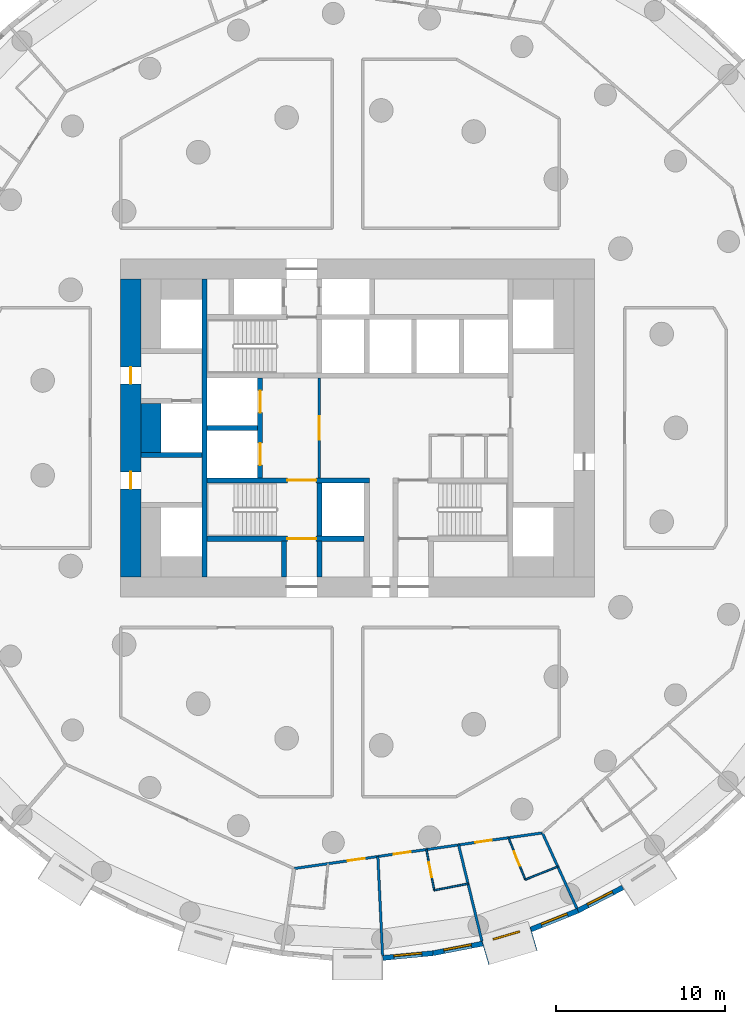
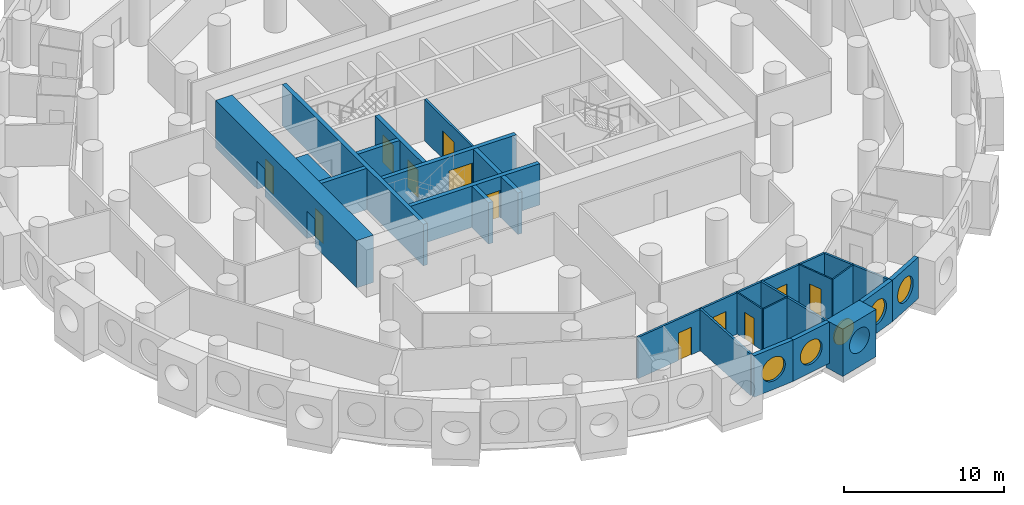
# One storey, part 4 of 11: 25 walls, 12 doors, 5 windows, 17 openings.
"""IFC4 building model written with IfcOpenShell, lengths in metres."""

from ifc_helpers import new_model, si_unit, direction, frame, frame_2d, origin, origin_2d, place, context, subcontext, project, spatial, rectangle, circle, extrude, material, layer, layer_set, type_object, element, fill, save


model = new_model("IFC4")

# Units and contexts
model_context = context("Model", 3, precision=1e-05, world=origin(), true_north=direction((0.0, 1.0)))
body_context = subcontext(model_context, "Body", "Model", "MODEL_VIEW")
ifc_project = project(units=[si_unit("LENGTHUNIT", "METRE"), si_unit("AREAUNIT", "SQUARE_METRE"), si_unit("VOLUMEUNIT", "CUBIC_METRE"), si_unit("PLANEANGLEUNIT", "RADIAN"), si_unit("MASSUNIT", "GRAM", prefix="KILO")], contexts=[model_context])

# Site, building, storey
site_placement = place(None, origin())
site = spatial("IfcSite", under=ifc_project, at=site_placement, CompositionType="ELEMENT")
building_placement = place(site_placement, origin())
building = spatial("IfcBuilding", under=site, at=building_placement, Name="Tracery Tower", CompositionType="ELEMENT")
storey_placement = place(building_placement, frame((0.0, 0.0, 100.199951171875)))
storey = spatial("IfcBuildingStorey", under=building, at=storey_placement, Name="L25", CompositionType="ELEMENT", Elevation=100.199951171875)

# Wall, opening, door
ifc_material_1 = material(Name="Plasterboard on steel studs", Category="steel")
ifc_layer_1 = layer(ifc_material_1, 0.14990234375)
ifc_layer_set_1 = layer_set([ifc_layer_1], Name="Core lobby partition 150")
wall_type_1 = type_object("IfcWallType", Name="Core lobby partition 150", PredefinedType="SOLIDWALL", material=ifc_layer_set_1)
wall_1_placement = place(storey_placement, frame((-2.25, -2.949951171875, 0.0), z_axis=(0.0, 0.0, 1.0), x_axis=(0.0, 1.0, 0.0)))
wall_1 = element("IfcWall", 1, at=wall_1_placement, inside=storey, type_object=wall_type_1, Name="L25 FF lobby E", PredefinedType="SOLIDWALL", context=body_context, shape_type="SweptSolid", body=[
    extrude(rectangle(XDim=5.89990234375, YDim=0.14990234375, at=frame_2d((2.949951171875, 0.0))), origin(), (0.0, 0.0, 1.0), 3.150146484375),
])
opening_1_placement = place(wall_1_placement, frame((2.25, 0.0, 0.0)))
opening_1 = element("IfcOpeningElement", 2, at=opening_1_placement, cuts=wall_1, Name="Opening KD8", PredefinedType="OPENING", context=body_context, shape_type="SweptSolid", body=[
    extrude(rectangle(XDim=1.39990234375, YDim=2.10009765625, at=frame_2d((0.699951171875, 1.050048828125))), frame((0.0, 0.074951171875, 0.0), z_axis=(0.0, -1.0, 0.0), x_axis=(1.0, 0.0, 0.0)), (0.0, 0.0, 1.0), 0.14990234375),
])
ifc_material_2 = material(Name="Steel fire door", Category="steel")
door_type_1 = type_object("IfcDoorType", Name="Core lobby door 1400 double", OperationType="NOTDEFINED", PredefinedType="DOOR", material=ifc_material_2)
door_1_placement = place(opening_1_placement, origin())
door_1 = element("IfcDoor", 3, at=door_1_placement, inside=storey, type_object=door_type_1, Name="Fire-fighting lobby door", OperationType="DOUBLE_DOOR_SINGLE_SWING", OverallHeight=2.10009765625, OverallWidth=1.39990234375, PredefinedType="DOOR", context=body_context, shape_type="SweptSolid", body=[
    extrude(rectangle(XDim=1.39990234375, YDim=2.10009765625, at=frame_2d((0.699951171875, 1.050048828125))), frame((0.0, 0.02490234375, 0.0), z_axis=(0.0, -1.0, 0.0), x_axis=(1.0, 0.0, 0.0)), (0.0, 0.0, 1.0), 0.050048828125),
])
fill(opening_1, door_1)

# Wall
ifc_material_3 = material(Name="Concrete C60/75", Category="concrete")
ifc_layer_2 = layer(ifc_material_3, 1.199951171875)
ifc_layer_set_2 = layer_set([ifc_layer_2], Name="Core strip wall 1200 C60")
wall_type_2 = type_object("IfcWallType", Name="Core strip wall 1200 C60", PredefinedType="SOLIDWALL", material=ifc_layer_set_2)
wall_2_placement = place(storey_placement, frame((-12.199951171875, -1.449951171875, 0.0), z_axis=(0.0, 0.0, 1.0), x_axis=(0.0, 1.0, 0.0)))
element("IfcWall", 4, at=wall_2_placement, inside=storey, type_object=wall_type_2, Name="L25 wing strip -1 -1.6", PredefinedType="SOLIDWALL", context=body_context, shape_type="SweptSolid", body=[
    extrude(rectangle(XDim=2.89990234375, YDim=1.199951171875, at=frame_2d((1.449951171875, 0.0))), origin(), (0.0, 0.0, 1.0), 3.150146484375),
])

# Wall, openings, doors
ifc_material_4 = material(Name="Concrete C60/75", Category="concrete")
ifc_layer_3 = layer(ifc_material_4, 1.199951171875)
ifc_layer_set_3 = layer_set([ifc_layer_3], Name="Core wall 1200 C60")
wall_type_3 = type_object("IfcWallType", Name="Core wall 1200 C60", PredefinedType="SOLIDWALL", material=ifc_layer_set_3)
wall_3_placement = place(storey_placement, frame((-13.39990234375, -8.800048828125, 0.0), z_axis=(0.0, 0.0, 1.0), x_axis=(0.0, 1.0, 0.0)))
wall_3 = element("IfcWall", 5, at=wall_3_placement, inside=storey, type_object=wall_type_3, Name="L25 outer W", PredefinedType="SOLIDWALL", context=body_context, shape_type="SweptSolid", body=[
    extrude(rectangle(XDim=17.60009765625, YDim=1.199951171875, at=frame_2d((8.800048828125, 0.0))), origin(), (0.0, 0.0, 1.0), 3.60009765625),
])
opening_2_placement = place(wall_3_placement, frame((5.199951171875, 0.0, 0.0)))
opening_2 = element("IfcOpeningElement", 6, at=opening_2_placement, cuts=wall_3, Name="Opening KD18", PredefinedType="OPENING", context=body_context, shape_type="SweptSolid", body=[
    extrude(rectangle(XDim=1.0, YDim=2.10009765625, at=frame_2d((0.5, 1.050048828125))), frame((0.0, 0.60009765625, 0.0), z_axis=(0.0, -1.0, 0.0), x_axis=(1.0, 0.0, 0.0)), (0.0, 0.0, 1.0), 1.199951171875),
])
opening_3_placement = place(wall_3_placement, frame((11.39990234375, 0.0, 0.0)))
opening_3 = element("IfcOpeningElement", 7, at=opening_3_placement, cuts=wall_3, Name="Opening KD18", PredefinedType="OPENING", context=body_context, shape_type="SweptSolid", body=[
    extrude(rectangle(XDim=1.0, YDim=2.10009765625, at=frame_2d((0.5, 1.050048828125))), frame((0.0, 0.60009765625, 0.0), z_axis=(0.0, -1.0, 0.0), x_axis=(1.0, 0.0, 0.0)), (0.0, 0.0, 1.0), 1.199951171875),
])
ifc_material_5 = material(Name="Steel fire door", Category="steel")
door_type_2 = type_object("IfcDoorType", Name="Core exit door 1000", OperationType="NOTDEFINED", PredefinedType="DOOR", material=ifc_material_5)
door_2_placement = place(opening_2_placement, origin())
door_2 = element("IfcDoor", 8, at=door_2_placement, inside=storey, type_object=door_type_2, Name="Core exit door", OperationType="DOUBLE_DOOR_SINGLE_SWING", OverallHeight=2.10009765625, OverallWidth=1.0, PredefinedType="DOOR", context=body_context, shape_type="SweptSolid", body=[
    extrude(rectangle(XDim=1.0, YDim=2.10009765625, at=frame_2d((0.5, 1.050048828125))), frame((0.0, 0.02490234375, 0.0), z_axis=(0.0, -1.0, 0.0), x_axis=(1.0, 0.0, 0.0)), (0.0, 0.0, 1.0), 0.050048828125),
])
fill(opening_2, door_2)
door_3_placement = place(opening_3_placement, origin())
door_3 = element("IfcDoor", 9, at=door_3_placement, inside=storey, type_object=door_type_2, Name="Core exit door", OperationType="DOUBLE_DOOR_SINGLE_SWING", OverallHeight=2.10009765625, OverallWidth=1.0, PredefinedType="DOOR", context=body_context, shape_type="SweptSolid", body=[
    extrude(rectangle(XDim=1.0, YDim=2.10009765625, at=frame_2d((0.5, 1.050048828125))), frame((0.0, 0.02490234375, 0.0), z_axis=(0.0, -1.0, 0.0), x_axis=(1.0, 0.0, 0.0)), (0.0, 0.0, 1.0), 0.050048828125),
])
fill(opening_3, door_3)

# Wall, opening, window
ifc_material_6 = material(Name="Precast concrete C50/60", Category="concrete")
ifc_layer_4 = layer(ifc_material_6, 1.449951171875)
ifc_layer_set_4 = layer_set([ifc_layer_4], Name="Deep-set bay unit 3000 x 3600, slab edge 450")
wall_type_4 = type_object("IfcWallType", Name="Deep-set bay unit 3000 x 3600, slab edge 450", PredefinedType="ELEMENTEDWALL", material=ifc_layer_set_4)
wall_4_placement = place(storey_placement, frame((7.552001953125, -31.043701171875, -0.449951171875), z_axis=(0.0, 0.0, 1.0), x_axis=(0.959489813418, 0.281743319258, 0.0)))
wall_4 = element("IfcWall", 10, at=wall_4_placement, inside=storey, type_object=wall_type_4, Name="Deep-set bay unit 53 at L25", PredefinedType="ELEMENTEDWALL", context=body_context, shape_type="SweptSolid", body=[
    extrude(rectangle(XDim=3.0, YDim=1.449951171875, at=frame_2d((1.5, 0.0))), origin(), (0.0, 0.0, 1.0), 3.60009765625),
])
opening_4_placement = place(wall_4_placement, frame((1.5, 0.0, 2.0)))
opening_4 = element("IfcOpeningElement", 11, at=opening_4_placement, cuts=wall_4, Name="Opening WN1", PredefinedType="OPENING", context=body_context, shape_type="SweptSolid", body=[
    extrude(circle(Radius=0.9000244140625, at=origin_2d()), frame((0.0, 0.73486328125, 0.0), z_axis=(0.0, -1.0, 0.0), x_axis=(1.0, 0.0, 0.0)), (0.0, 0.0, 1.0), 1.469970703125),
])
ifc_material_7 = material(Name="Aluminium frame with tinted double glazing", Category="aluminium")
window_type = type_object("IfcWindowType", Name="Round window 1800", PartitioningType="SINGLE_PANEL", PredefinedType="WINDOW", material=ifc_material_7)
window_1_placement = place(opening_4_placement, origin())
window_1 = element("IfcWindow", 12, at=window_1_placement, inside=storey, type_object=window_type, Name="Round window 53 at L25", OverallHeight=1.800048828125, OverallWidth=1.800048828125, PartitioningType="SINGLE_PANEL", PredefinedType="WINDOW", context=body_context, shape_type="SweptSolid", body=[
    extrude(circle(Radius=0.9000244140625, at=origin_2d()), frame((0.0, 0.69482421875, 0.0), z_axis=(0.0, -1.0, 0.0), x_axis=(1.0, 0.0, 0.0)), (0.0, 0.0, 1.0), 0.10009765625),
])
fill(opening_4, window_1)

ifc_material_8 = material(Name="Precast concrete C50/60", Category="concrete")
ifc_layer_5 = layer(ifc_material_8, 0.300048828125)
ifc_layer_set_5 = layer_set([ifc_layer_5], Name="Facade panel 3000 x 3150")
wall_type_5 = type_object("IfcWallType", Name="Facade panel 3000 x 3150", PredefinedType="SOLIDWALL", material=ifc_layer_set_5)
wall_5_placement = place(storey_placement, frame((1.498779296875, -31.33837890625, 0.0), z_axis=(0.0, 0.0, 1.0), x_axis=(0.995473351551, 0.095041077185, 0.0)))
wall_5 = element("IfcWall", 13, at=wall_5_placement, inside=storey, type_object=wall_type_5, Name="Facade panel 51 at L25", PredefinedType="SOLIDWALL", context=body_context, shape_type="SweptSolid", body=[
    extrude(rectangle(XDim=2.979736328125, YDim=0.300048828125, at=frame_2d((1.48974609375, 0.0))), origin(), (0.0, 0.0, 1.0), 3.150146484375),
])
opening_5_placement = place(wall_5_placement, frame((1.48974609375, 0.0, 1.5498046875)))
opening_5 = element("IfcOpeningElement", 14, at=opening_5_placement, cuts=wall_5, Name="Opening WN1", PredefinedType="OPENING", context=body_context, shape_type="SweptSolid", body=[
    extrude(circle(Radius=0.9000244140625, at=origin_2d()), frame((0.0, 0.159912109375, 0.0), z_axis=(0.0, -1.0, 0.0), x_axis=(1.0, 0.0, 0.0)), (0.0, 0.0, 1.0), 0.320068359375),
])
window_2_placement = place(opening_5_placement, origin())
window_2 = element("IfcWindow", 15, at=window_2_placement, inside=storey, type_object=window_type, Name="Round window 51 at L25", OverallHeight=1.800048828125, OverallWidth=1.800048828125, PartitioningType="SINGLE_PANEL", PredefinedType="WINDOW", context=body_context, shape_type="SweptSolid", body=[
    extrude(circle(Radius=0.9000244140625, at=origin_2d()), frame((0.0, 0.1201171875, 0.0), z_axis=(0.0, -1.0, 0.0), x_axis=(1.0, 0.0, 0.0)), (0.0, 0.0, 1.0), 0.10009765625),
])
fill(opening_5, window_2)

wall_6_placement = place(storey_placement, frame((4.465087890625, -31.05517578125, 0.0), z_axis=(0.0, 0.0, 1.0), x_axis=(0.981924535406, 0.189272836848, 0.0)))
wall_6 = element("IfcWall", 16, at=wall_6_placement, inside=storey, type_object=wall_type_5, Name="Facade panel 52 at L25", PredefinedType="SOLIDWALL", context=body_context, shape_type="SweptSolid", body=[
    extrude(rectangle(XDim=2.979736328125, YDim=0.300048828125, at=frame_2d((1.48974609375, 0.0))), origin(), (0.0, 0.0, 1.0), 3.150146484375),
])
opening_6_placement = place(wall_6_placement, frame((1.48974609375, 0.0, 1.5498046875)))
opening_6 = element("IfcOpeningElement", 17, at=opening_6_placement, cuts=wall_6, Name="Opening WN1", PredefinedType="OPENING", context=body_context, shape_type="SweptSolid", body=[
    extrude(circle(Radius=0.9000244140625, at=origin_2d()), frame((0.0, 0.159912109375, 0.0), z_axis=(0.0, -1.0, 0.0), x_axis=(1.0, 0.0, 0.0)), (0.0, 0.0, 1.0), 0.320068359375),
])
window_3_placement = place(opening_6_placement, origin())
window_3 = element("IfcWindow", 18, at=window_3_placement, inside=storey, type_object=window_type, Name="Round window 52 at L25", OverallHeight=1.800048828125, OverallWidth=1.800048828125, PartitioningType="SINGLE_PANEL", PredefinedType="WINDOW", context=body_context, shape_type="SweptSolid", body=[
    extrude(circle(Radius=0.9000244140625, at=origin_2d()), frame((0.0, 0.1201171875, 0.0), z_axis=(0.0, -1.0, 0.0), x_axis=(1.0, 0.0, 0.0)), (0.0, 0.0, 1.0), 0.10009765625),
])
fill(opening_6, window_3)

wall_7_placement = place(storey_placement, frame((10.26708984375, -29.646484375, 0.0), z_axis=(0.0, 0.0, 1.0), x_axis=(0.928403213937, 0.371574316054, 0.0)))
wall_7 = element("IfcWall", 19, at=wall_7_placement, inside=storey, type_object=wall_type_5, Name="Facade panel 54 at L25", PredefinedType="SOLIDWALL", context=body_context, shape_type="SweptSolid", body=[
    extrude(rectangle(XDim=2.979736328125, YDim=0.300048828125, at=frame_2d((1.48974609375, 0.0))), origin(), (0.0, 0.0, 1.0), 3.150146484375),
])
opening_7_placement = place(wall_7_placement, frame((1.48974609375, 0.0, 1.5498046875)))
opening_7 = element("IfcOpeningElement", 20, at=opening_7_placement, cuts=wall_7, Name="Opening WN1", PredefinedType="OPENING", context=body_context, shape_type="SweptSolid", body=[
    extrude(circle(Radius=0.9000244140625, at=origin_2d()), frame((0.0, 0.159912109375, 0.0), z_axis=(0.0, -1.0, 0.0), x_axis=(1.0, 0.0, 0.0)), (0.0, 0.0, 1.0), 0.320068359375),
])
window_4_placement = place(opening_7_placement, origin())
window_4 = element("IfcWindow", 21, at=window_4_placement, inside=storey, type_object=window_type, Name="Round window 54 at L25", OverallHeight=1.800048828125, OverallWidth=1.800048828125, PartitioningType="SINGLE_PANEL", PredefinedType="WINDOW", context=body_context, shape_type="SweptSolid", body=[
    extrude(circle(Radius=0.9000244140625, at=origin_2d()), frame((0.0, 0.1201171875, 0.0), z_axis=(0.0, -1.0, 0.0), x_axis=(1.0, 0.0, 0.0)), (0.0, 0.0, 1.0), 0.10009765625),
])
fill(opening_7, window_4)

wall_8_placement = place(storey_placement, frame((13.033447265625, -28.539306640625, 0.0), z_axis=(0.0, 0.0, 1.0), x_axis=(0.888819853856, 0.458256770153, 0.0)))
wall_8 = element("IfcWall", 22, at=wall_8_placement, inside=storey, type_object=wall_type_5, Name="Facade panel 55 at L25", PredefinedType="SOLIDWALL", context=body_context, shape_type="SweptSolid", body=[
    extrude(rectangle(XDim=2.979736328125, YDim=0.300048828125, at=frame_2d((1.48974609375, 0.0))), origin(), (0.0, 0.0, 1.0), 3.150146484375),
])
opening_8_placement = place(wall_8_placement, frame((1.48974609375, 0.0, 1.5498046875)))
opening_8 = element("IfcOpeningElement", 23, at=opening_8_placement, cuts=wall_8, Name="Opening WN1", PredefinedType="OPENING", context=body_context, shape_type="SweptSolid", body=[
    extrude(circle(Radius=0.9000244140625, at=origin_2d()), frame((0.0, 0.159912109375, 0.0), z_axis=(0.0, -1.0, 0.0), x_axis=(1.0, 0.0, 0.0)), (0.0, 0.0, 1.0), 0.320068359375),
])
window_5_placement = place(opening_8_placement, origin())
window_5 = element("IfcWindow", 24, at=window_5_placement, inside=storey, type_object=window_type, Name="Round window 55 at L25", OverallHeight=1.800048828125, OverallWidth=1.800048828125, PartitioningType="SINGLE_PANEL", PredefinedType="WINDOW", context=body_context, shape_type="SweptSolid", body=[
    extrude(circle(Radius=0.9000244140625, at=origin_2d()), frame((0.0, 0.1201171875, 0.0), z_axis=(0.0, -1.0, 0.0), x_axis=(1.0, 0.0, 0.0)), (0.0, 0.0, 1.0), 0.10009765625),
])
fill(opening_8, window_5)

# Wall, opening, door
ifc_material_9 = material(Name="Plasterboard on steel studs", Category="steel")
ifc_layer_6 = layer(ifc_material_9, 0.10009765625)
ifc_layer_set_6 = layer_set([ifc_layer_6], Name="Partition 100 wet wall")
wall_type_6 = type_object("IfcWallType", Name="Partition 100 wet wall", PredefinedType="PARTITIONING", material=ifc_layer_set_6)
wall_9_placement = place(storey_placement, frame((4.076904296875, -24.926025390625, 0.0), z_axis=(0.0, 0.0, 1.0), x_axis=(0.18925724964, -0.981927539821, 0.0)))
wall_9 = element("IfcWall", 25, at=wall_9_placement, inside=storey, type_object=wall_type_6, Name="Wet wall RA7-076", PredefinedType="PARTITIONING", context=body_context, shape_type="SweptSolid", body=[
    extrude(rectangle(XDim=2.452392578125, YDim=0.10009765625, at=frame_2d((1.22607421875, 0.0))), origin(), (0.0, 0.0, 1.0), 3.150146484375),
])
opening_9_placement = place(wall_9_placement, frame((0.77587890625, 0.0, 0.0)))
opening_9 = element("IfcOpeningElement", 26, at=opening_9_placement, cuts=wall_9, Name="Opening RA7-29", PredefinedType="OPENING", context=body_context, shape_type="SweptSolid", body=[
    extrude(rectangle(XDim=0.89990234375, YDim=2.0400390625, at=frame_2d((0.449951171875, 1.02001953125))), frame((0.0, 0.050048828125, 0.0), z_axis=(0.0, -1.0, 0.0), x_axis=(1.0, 0.0, 0.0)), (0.0, 0.0, 1.0), 0.10009765625),
])
ifc_material_10 = material(Name="Timber door leaf", Category="wood")
door_type_3 = type_object("IfcDoorType", Name="Door en-suite 900", OperationType="NOTDEFINED", PredefinedType="DOOR", material=ifc_material_10)
door_4_placement = place(opening_9_placement, origin())
door_4 = element("IfcDoor", 27, at=door_4_placement, inside=storey, type_object=door_type_3, Name="En-suite door RA7-29", OperationType="SINGLE_SWING_LEFT", OverallHeight=2.0400390625, OverallWidth=0.89990234375, PredefinedType="DOOR", context=body_context, shape_type="SweptSolid", body=[
    extrude(rectangle(XDim=0.89990234375, YDim=2.0400390625, at=frame_2d((0.449951171875, 1.02001953125))), frame((0.0, 0.02490234375, 0.0), z_axis=(0.0, -1.0, 0.0), x_axis=(1.0, 0.0, 0.0)), (0.0, 0.0, 1.0), 0.050048828125),
])
fill(opening_9, door_4)

# Wall
wall_10_placement = place(storey_placement, frame((4.541015625, -27.333984375, 0.0), z_axis=(0.0, 0.0, 1.0), x_axis=(0.981919009751, 0.189301501024, 0.0)))
element("IfcWall", 28, at=wall_10_placement, inside=storey, type_object=wall_type_6, Name="Wet wall RA7-077", PredefinedType="PARTITIONING", context=body_context, shape_type="SweptSolid", body=[
    extrude(rectangle(XDim=2.033935546875, YDim=0.10009765625, at=frame_2d((1.01708984375, 0.0))), origin(), (0.0, 0.0, 1.0), 3.150146484375),
])

# Wall, opening, door
wall_11_placement = place(storey_placement, frame((8.929931640625, -24.22802734375, 0.0), z_axis=(0.0, 0.0, 1.0), x_axis=(0.371564281805, -0.928407229876, 0.0)))
wall_11 = element("IfcWall", 29, at=wall_11_placement, inside=storey, type_object=wall_type_6, Name="Wet wall RA7-079", PredefinedType="PARTITIONING", context=body_context, shape_type="SweptSolid", body=[
    extrude(rectangle(XDim=2.6669921875, YDim=0.10009765625, at=frame_2d((1.33349609375, 0.0))), origin(), (0.0, 0.0, 1.0), 3.150146484375),
])
opening_10_placement = place(wall_11_placement, frame((0.883056640625, 0.0, 0.0)))
opening_10 = element("IfcOpeningElement", 30, at=opening_10_placement, cuts=wall_11, Name="Opening RA7-31", PredefinedType="OPENING", context=body_context, shape_type="SweptSolid", body=[
    extrude(rectangle(XDim=0.89990234375, YDim=2.0400390625, at=frame_2d((0.449951171875, 1.02001953125))), frame((0.0, 0.050048828125, 0.0), z_axis=(0.0, -1.0, 0.0), x_axis=(1.0, 0.0, 0.0)), (0.0, 0.0, 1.0), 0.10009765625),
])
door_5_placement = place(opening_10_placement, origin())
door_5 = element("IfcDoor", 31, at=door_5_placement, inside=storey, type_object=door_type_3, Name="En-suite door RA7-31", OperationType="SINGLE_SWING_LEFT", OverallHeight=2.0400390625, OverallWidth=0.89990234375, PredefinedType="DOOR", context=body_context, shape_type="SweptSolid", body=[
    extrude(rectangle(XDim=0.89990234375, YDim=2.0400390625, at=frame_2d((0.449951171875, 1.02001953125))), frame((0.0, 0.02490234375, 0.0), z_axis=(0.0, -1.0, 0.0), x_axis=(1.0, 0.0, 0.0)), (0.0, 0.0, 1.0), 0.050048828125),
])
fill(opening_10, door_5)

# Walls
wall_12_placement = place(storey_placement, frame((9.9208984375, -26.7041015625, 0.0), z_axis=(0.0, 0.0, 1.0), x_axis=(0.928346586681, 0.37171577179, 0.0)))
element("IfcWall", 32, at=wall_12_placement, inside=storey, type_object=wall_type_6, Name="Wet wall RA7-080", PredefinedType="PARTITIONING", context=body_context, shape_type="SweptSolid", body=[
    extrude(rectangle(XDim=2.071533203125, YDim=0.10009765625, at=frame_2d((1.03564453125, 0.0))), origin(), (0.0, 0.0, 1.0), 3.150146484375),
])
ifc_material_11 = material(Name="Plasterboard on steel studs", Category="steel")
ifc_layer_7 = layer(ifc_material_11, 0.14990234375)
ifc_layer_set_7 = layer_set([ifc_layer_7], Name="Partition 150 acoustic unit wall")
wall_type_7 = type_object("IfcWallType", Name="Partition 150 acoustic unit wall", PredefinedType="PARTITIONING", material=ifc_layer_set_7)
wall_13_placement = place(storey_placement, frame((1.20703125, -25.339111328125, 0.0), z_axis=(0.0, 0.0, 1.0), x_axis=(0.047648334785, -0.998864173045, 0.0)))
element("IfcWall", 33, at=wall_13_placement, inside=storey, type_object=wall_type_7, Name="Unit wall RA7-075", PredefinedType="PARTITIONING", context=body_context, shape_type="SweptSolid", body=[
    extrude(rectangle(XDim=5.8564453125, YDim=0.14990234375, at=frame_2d((2.92822265625, 0.0))), origin(), (0.0, 0.0, 1.0), 3.150146484375),
])
wall_14_placement = place(storey_placement, frame((5.981201171875, -24.652099609375, 0.0), z_axis=(0.0, 0.0, 1.0), x_axis=(0.235604797906, -0.971848948759, 0.0)))
element("IfcWall", 34, at=wall_14_placement, inside=storey, type_object=wall_type_7, Name="Unit wall RA7-078", PredefinedType="PARTITIONING", context=body_context, shape_type="SweptSolid", body=[
    extrude(rectangle(XDim=5.856689453125, YDim=0.14990234375, at=frame_2d((2.92822265625, 0.0))), origin(), (0.0, 0.0, 1.0), 3.150146484375),
])
wall_15_placement = place(storey_placement, frame((10.93359375, -23.939697265625, 0.0), z_axis=(0.0, 0.0, 1.0), x_axis=(0.415245800153, -0.909709253254, 0.0)))
element("IfcWall", 35, at=wall_15_placement, inside=storey, type_object=wall_type_7, Name="Unit wall RA7-081", PredefinedType="PARTITIONING", context=body_context, shape_type="SweptSolid", body=[
    extrude(rectangle(XDim=4.906494140625, YDim=0.14990234375, at=frame_2d((2.453125, 0.0))), origin(), (0.0, 0.0, 1.0), 3.150146484375),
])

# Wall, openings, doors
ifc_material_12 = material(Name="Plasterboard on steel studs", Category="steel")
ifc_layer_8 = layer(ifc_material_12, 0.14990234375)
ifc_layer_set_8 = layer_set([ifc_layer_8], Name="Partition 150 corridor wall")
wall_type_8 = type_object("IfcWallType", Name="Partition 150 corridor wall", PredefinedType="PARTITIONING", material=ifc_layer_set_8)
wall_16_placement = place(storey_placement, frame((-3.74609375, -26.05029296875, 0.0), z_axis=(0.0, 0.0, 1.0), x_axis=(0.98983491963, 0.142221066938, 0.0)))
wall_16 = element("IfcWall", 36, at=wall_16_placement, inside=storey, type_object=wall_type_8, Name="Corridor wall RA7-044", PredefinedType="PARTITIONING", context=body_context, shape_type="SweptSolid", body=[
    extrude(rectangle(XDim=14.829833984375, YDim=0.14990234375, at=frame_2d((7.4150390625, 0.0))), origin(), (0.0, 0.0, 1.0), 3.150146484375),
])
opening_11_placement = place(wall_16_placement, frame((3.214111328125, 0.0, 0.0)))
opening_11 = element("IfcOpeningElement", 37, at=opening_11_placement, cuts=wall_16, Name="Opening RA7-28", PredefinedType="OPENING", context=body_context, shape_type="SweptSolid", body=[
    extrude(rectangle(XDim=1.0, YDim=2.10009765625, at=frame_2d((0.5, 1.050048828125))), frame((0.0, 0.074951171875, 0.0), z_axis=(0.0, -1.0, 0.0), x_axis=(1.0, 0.0, 0.0)), (0.0, 0.0, 1.0), 0.14990234375),
])
opening_12_placement = place(wall_16_placement, frame((5.95361328125, 0.0, 0.0)))
opening_12 = element("IfcOpeningElement", 38, at=opening_12_placement, cuts=wall_16, Name="Opening RA7-30", PredefinedType="OPENING", context=body_context, shape_type="SweptSolid", body=[
    extrude(rectangle(XDim=1.0, YDim=2.10009765625, at=frame_2d((0.5, 1.050048828125))), frame((0.0, 0.074951171875, 0.0), z_axis=(0.0, -1.0, 0.0), x_axis=(1.0, 0.0, 0.0)), (0.0, 0.0, 1.0), 0.14990234375),
])
opening_13_placement = place(wall_16_placement, frame((10.81640625, 0.0, 0.0)))
opening_13 = element("IfcOpeningElement", 39, at=opening_13_placement, cuts=wall_16, Name="Opening RA7-32", PredefinedType="OPENING", context=body_context, shape_type="SweptSolid", body=[
    extrude(rectangle(XDim=1.0, YDim=2.10009765625, at=frame_2d((0.5, 1.050048828125))), frame((0.0, 0.074951171875, 0.0), z_axis=(0.0, -1.0, 0.0), x_axis=(1.0, 0.0, 0.0)), (0.0, 0.0, 1.0), 0.14990234375),
])
ifc_material_13 = material(Name="Timber door leaf", Category="wood")
door_type_4 = type_object("IfcDoorType", Name="Door unit entrance 1000", OperationType="NOTDEFINED", PredefinedType="DOOR", material=ifc_material_13)
door_6_placement = place(opening_11_placement, origin())
door_6 = element("IfcDoor", 40, at=door_6_placement, inside=storey, type_object=door_type_4, Name="Unit entrance door RA7-28", OperationType="SINGLE_SWING_LEFT", OverallHeight=2.10009765625, OverallWidth=1.0, PredefinedType="DOOR", context=body_context, shape_type="SweptSolid", body=[
    extrude(rectangle(XDim=1.0, YDim=2.10009765625, at=frame_2d((0.5, 1.050048828125))), frame((0.0, 0.02490234375, 0.0), z_axis=(0.0, -1.0, 0.0), x_axis=(1.0, 0.0, 0.0)), (0.0, 0.0, 1.0), 0.050048828125),
])
fill(opening_11, door_6)
door_7_placement = place(opening_12_placement, origin())
door_7 = element("IfcDoor", 41, at=door_7_placement, inside=storey, type_object=door_type_4, Name="Unit entrance door RA7-30", OperationType="SINGLE_SWING_RIGHT", OverallHeight=2.10009765625, OverallWidth=1.0, PredefinedType="DOOR", context=body_context, shape_type="SweptSolid", body=[
    extrude(rectangle(XDim=1.0, YDim=2.10009765625, at=frame_2d((0.5, 1.050048828125))), frame((0.0, 0.02490234375, 0.0), z_axis=(0.0, -1.0, 0.0), x_axis=(1.0, 0.0, 0.0)), (0.0, 0.0, 1.0), 0.050048828125),
])
fill(opening_12, door_7)
door_8_placement = place(opening_13_placement, origin())
door_8 = element("IfcDoor", 42, at=door_8_placement, inside=storey, type_object=door_type_4, Name="Unit entrance door RA7-32", OperationType="SINGLE_SWING_RIGHT", OverallHeight=2.10009765625, OverallWidth=1.0, PredefinedType="DOOR", context=body_context, shape_type="SweptSolid", body=[
    extrude(rectangle(XDim=1.0, YDim=2.10009765625, at=frame_2d((0.5, 1.050048828125))), frame((0.0, 0.02490234375, 0.0), z_axis=(0.0, -1.0, 0.0), x_axis=(1.0, 0.0, 0.0)), (0.0, 0.0, 1.0), 0.050048828125),
])
fill(opening_13, door_8)

# Wall
ifc_material_14 = material(Name="Concrete C60/75", Category="concrete")
ifc_layer_9 = layer(ifc_material_14, 0.300048828125)
ifc_layer_set_9 = layer_set([ifc_layer_9], Name="Shaft wall 300 C60")
wall_type_9 = type_object("IfcWallType", Name="Shaft wall 300 C60", PredefinedType="SOLIDWALL", material=ifc_layer_set_9)
wall_17_placement = place(storey_placement, frame((-8.89990234375, 0.0, 0.0), z_axis=(0.0, 0.0, 1.0), x_axis=(1.0, 0.0, 0.0)))
element("IfcWall", 43, at=wall_17_placement, inside=storey, type_object=wall_type_9, Name="L25 FF split", PredefinedType="SOLIDWALL", context=body_context, shape_type="SweptSolid", body=[
    extrude(rectangle(XDim=3.0, YDim=0.300048828125, at=frame_2d((1.5, 0.0))), origin(), (0.0, 0.0, 1.0), 3.150146484375),
])

# Wall, openings, doors
wall_18_placement = place(storey_placement, frame((-5.75, -2.949951171875, 0.0), z_axis=(0.0, 0.0, 1.0), x_axis=(0.0, 1.0, 0.0)))
wall_18 = element("IfcWall", 44, at=wall_18_placement, inside=storey, type_object=wall_type_9, Name="L25 FF doors", PredefinedType="SOLIDWALL", context=body_context, shape_type="SweptSolid", body=[
    extrude(rectangle(XDim=5.89990234375, YDim=0.300048828125, at=frame_2d((2.949951171875, 0.0))), origin(), (0.0, 0.0, 1.0), 3.150146484375),
])
opening_14_placement = place(wall_18_placement, frame((0.75, 0.0, 0.0)))
opening_14 = element("IfcOpeningElement", 45, at=opening_14_placement, cuts=wall_18, Name="Opening KD54", PredefinedType="OPENING", context=body_context, shape_type="SweptSolid", body=[
    extrude(rectangle(XDim=1.300048828125, YDim=2.10009765625, at=frame_2d((0.64990234375, 1.050048828125))), frame((0.0, 0.14990234375, 0.0), z_axis=(0.0, -1.0, 0.0), x_axis=(1.0, 0.0, 0.0)), (0.0, 0.0, 1.0), 0.300048828125),
])
opening_15_placement = place(wall_18_placement, frame((3.85009765625, 0.0, 0.0)))
opening_15 = element("IfcOpeningElement", 46, at=opening_15_placement, cuts=wall_18, Name="Opening KD55", PredefinedType="OPENING", context=body_context, shape_type="SweptSolid", body=[
    extrude(rectangle(XDim=1.300048828125, YDim=2.10009765625, at=frame_2d((0.64990234375, 1.050048828125))), frame((0.0, 0.14990234375, 0.0), z_axis=(0.0, -1.0, 0.0), x_axis=(1.0, 0.0, 0.0)), (0.0, 0.0, 1.0), 0.300048828125),
])
ifc_material_15 = material(Name="Steel fire door", Category="steel")
door_type_5 = type_object("IfcDoorType", Name="Landing door FF 1300", OperationType="NOTDEFINED", PredefinedType="DOOR", material=ifc_material_15)
door_9_placement = place(opening_14_placement, origin())
door_9 = element("IfcDoor", 47, at=door_9_placement, inside=storey, type_object=door_type_5, Name="Landing door FF1", OperationType="SLIDING_TO_LEFT", OverallHeight=2.10009765625, OverallWidth=1.300048828125, PredefinedType="DOOR", context=body_context, shape_type="SweptSolid", body=[
    extrude(rectangle(XDim=1.300048828125, YDim=2.10009765625, at=frame_2d((0.64990234375, 1.050048828125))), frame((0.0, 0.02490234375, 0.0), z_axis=(0.0, -1.0, 0.0), x_axis=(1.0, 0.0, 0.0)), (0.0, 0.0, 1.0), 0.050048828125),
])
fill(opening_14, door_9)
door_10_placement = place(opening_15_placement, origin())
door_10 = element("IfcDoor", 48, at=door_10_placement, inside=storey, type_object=door_type_5, Name="Landing door FF2", OperationType="SLIDING_TO_RIGHT", OverallHeight=2.10009765625, OverallWidth=1.300048828125, PredefinedType="DOOR", context=body_context, shape_type="SweptSolid", body=[
    extrude(rectangle(XDim=1.300048828125, YDim=2.10009765625, at=frame_2d((0.64990234375, 1.050048828125))), frame((0.0, 0.02490234375, 0.0), z_axis=(0.0, -1.0, 0.0), x_axis=(1.0, 0.0, 0.0)), (0.0, 0.0, 1.0), 0.050048828125),
])
fill(opening_15, door_10)

# Walls
wall_19_placement = place(storey_placement, frame((-4.35009765625, -8.800048828125, 0.0), z_axis=(0.0, 0.0, 1.0), x_axis=(0.0, 1.0, 0.0)))
element("IfcWall", 49, at=wall_19_placement, inside=storey, type_object=wall_type_9, Name="L25 band S -4.35", PredefinedType="SOLIDWALL", context=body_context, shape_type="SweptSolid", body=[
    extrude(rectangle(XDim=2.10009765625, YDim=0.300048828125, at=frame_2d((1.050048828125, 0.0))), origin(), (0.0, 0.0, 1.0), 3.150146484375),
])
wall_20_placement = place(storey_placement, frame((-12.800048828125, -1.60009765625, 0.0), z_axis=(0.0, 0.0, 1.0), x_axis=(1.0, 0.0, 0.0)))
element("IfcWall", 50, at=wall_20_placement, inside=storey, type_object=wall_type_9, Name="L25 wing shaft wall -1 -1.60", PredefinedType="SOLIDWALL", context=body_context, shape_type="SweptSolid", body=[
    extrude(rectangle(XDim=3.60009765625, YDim=0.300048828125, at=frame_2d((1.800048828125, 0.0))), origin(), (0.0, 0.0, 1.0), 3.150146484375),
])

# Wall, opening, door
ifc_material_16 = material(Name="Concrete C60/75", Category="concrete")
ifc_layer_10 = layer(ifc_material_16, 0.300048828125)
ifc_layer_set_10 = layer_set([ifc_layer_10], Name="Stair wall 300 C60")
wall_type_10 = type_object("IfcWallType", Name="Stair wall 300 C60", PredefinedType="SOLIDWALL", material=ifc_layer_set_10)
wall_21_placement = place(storey_placement, frame((-8.89990234375, -3.10009765625, 0.0), z_axis=(0.0, 0.0, 1.0), x_axis=(1.0, 0.0, 0.0)))
wall_21 = element("IfcWall", 51, at=wall_21_placement, inside=storey, type_object=wall_type_10, Name="L25 row S", PredefinedType="SOLIDWALL", context=body_context, shape_type="SweptSolid", body=[
    extrude(rectangle(XDim=9.599853515625, YDim=0.300048828125, at=frame_2d((4.7998046875, 0.0))), origin(), (0.0, 0.0, 1.0), 3.150146484375),
])
opening_16_placement = place(wall_21_placement, frame((4.75, 0.0, 0.0)))
opening_16 = element("IfcOpeningElement", 52, at=opening_16_placement, cuts=wall_21, Name="Opening KD3", PredefinedType="OPENING", context=body_context, shape_type="SweptSolid", body=[
    extrude(rectangle(XDim=1.699951171875, YDim=2.10009765625, at=frame_2d((0.85009765625, 1.050048828125))), frame((0.0, 0.14990234375, 0.0), z_axis=(0.0, -1.0, 0.0), x_axis=(1.0, 0.0, 0.0)), (0.0, 0.0, 1.0), 0.300048828125),
])
ifc_material_17 = material(Name="Steel fire door", Category="steel")
door_type_6 = type_object("IfcDoorType", Name="Core stair door 1700 double", OperationType="NOTDEFINED", PredefinedType="DOOR", material=ifc_material_17)
door_11_placement = place(opening_16_placement, origin())
door_11 = element("IfcDoor", 53, at=door_11_placement, inside=storey, type_object=door_type_6, Name="Stair door ST1", OperationType="DOUBLE_DOOR_SINGLE_SWING", OverallHeight=2.10009765625, OverallWidth=1.699951171875, PredefinedType="DOOR", context=body_context, shape_type="SweptSolid", body=[
    extrude(rectangle(XDim=1.699951171875, YDim=2.10009765625, at=frame_2d((0.85009765625, 1.050048828125))), frame((0.0, 0.02490234375, 0.0), z_axis=(0.0, -1.0, 0.0), x_axis=(1.0, 0.0, 0.0)), (0.0, 0.0, 1.0), 0.050048828125),
])
fill(opening_16, door_11)

# Walls
wall_22_placement = place(storey_placement, frame((-2.25, -6.39990234375, 0.0), z_axis=(0.0, 0.0, 1.0), x_axis=(0.0, 1.0, 0.0)))
element("IfcWall", 54, at=wall_22_placement, inside=storey, type_object=wall_type_10, Name="L25 ST1 E", PredefinedType="SOLIDWALL", context=body_context, shape_type="SweptSolid", body=[
    extrude(rectangle(XDim=3.14990234375, YDim=0.300048828125, at=frame_2d((1.574951171875, 0.0))), origin(), (0.0, 0.0, 1.0), 3.150146484375),
])
wall_23_placement = place(storey_placement, frame((-9.050048828125, -8.800048828125, 0.0), z_axis=(0.0, 0.0, 1.0), x_axis=(0.0, 1.0, 0.0)))
element("IfcWall", 55, at=wall_23_placement, inside=storey, type_object=wall_type_10, Name="L25 F wall -9", PredefinedType="SOLIDWALL", context=body_context, shape_type="SweptSolid", body=[
    extrude(rectangle(XDim=17.60009765625, YDim=0.300048828125, at=frame_2d((8.800048828125, 0.0))), origin(), (0.0, 0.0, 1.0), 3.150146484375),
])

# Wall, opening, door
wall_24_placement = place(storey_placement, frame((-8.89990234375, -6.550048828125, 0.0), z_axis=(0.0, 0.0, 1.0), x_axis=(1.0, 0.0, 0.0)))
wall_24 = element("IfcWall", 56, at=wall_24_placement, inside=storey, type_object=wall_type_10, Name="L25 F S W", PredefinedType="SOLIDWALL", context=body_context, shape_type="SweptSolid", body=[
    extrude(rectangle(XDim=9.2998046875, YDim=0.300048828125, at=frame_2d((4.64990234375, 0.0))), origin(), (0.0, 0.0, 1.0), 3.150146484375),
])
opening_17_placement = place(wall_24_placement, frame((4.75, 0.0, 0.0)))
opening_17 = element("IfcOpeningElement", 57, at=opening_17_placement, cuts=wall_24, Name="Opening KD3", PredefinedType="OPENING", context=body_context, shape_type="SweptSolid", body=[
    extrude(rectangle(XDim=1.699951171875, YDim=2.10009765625, at=frame_2d((0.85009765625, 1.050048828125))), frame((0.0, 0.14990234375, 0.0), z_axis=(0.0, -1.0, 0.0), x_axis=(1.0, 0.0, 0.0)), (0.0, 0.0, 1.0), 0.300048828125),
])
door_12_placement = place(opening_17_placement, origin())
door_12 = element("IfcDoor", 58, at=door_12_placement, inside=storey, type_object=door_type_6, Name="Stair door ST1 S", OperationType="DOUBLE_DOOR_SINGLE_SWING", OverallHeight=2.10009765625, OverallWidth=1.699951171875, PredefinedType="DOOR", context=body_context, shape_type="SweptSolid", body=[
    extrude(rectangle(XDim=1.699951171875, YDim=2.10009765625, at=frame_2d((0.85009765625, 1.050048828125))), frame((0.0, 0.02490234375, 0.0), z_axis=(0.0, -1.0, 0.0), x_axis=(1.0, 0.0, 0.0)), (0.0, 0.0, 1.0), 0.050048828125),
])
fill(opening_17, door_12)

# Wall
wall_25_placement = place(storey_placement, frame((-2.25, -8.800048828125, 0.0), z_axis=(0.0, 0.0, 1.0), x_axis=(0.0, 1.0, 0.0)))
element("IfcWall", 59, at=wall_25_placement, inside=storey, type_object=wall_type_10, Name="L25 ST1 E out", PredefinedType="SOLIDWALL", context=body_context, shape_type="SweptSolid", body=[
    extrude(rectangle(XDim=2.10009765625, YDim=0.300048828125, at=frame_2d((1.050048828125, 0.0))), origin(), (0.0, 0.0, 1.0), 3.150146484375),
])

save(model, "model.ifc")
